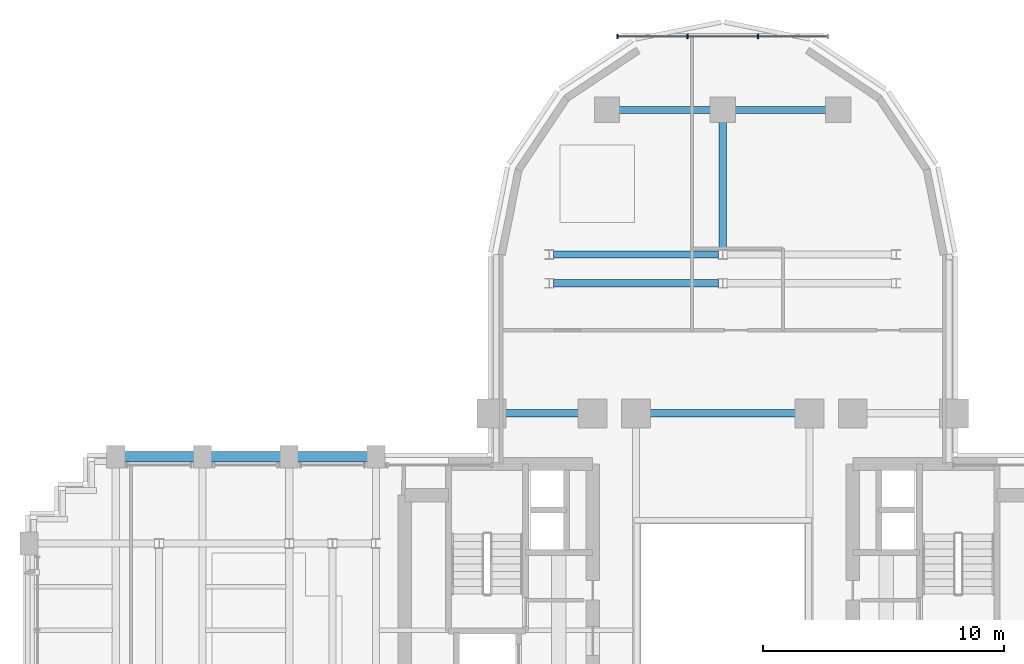
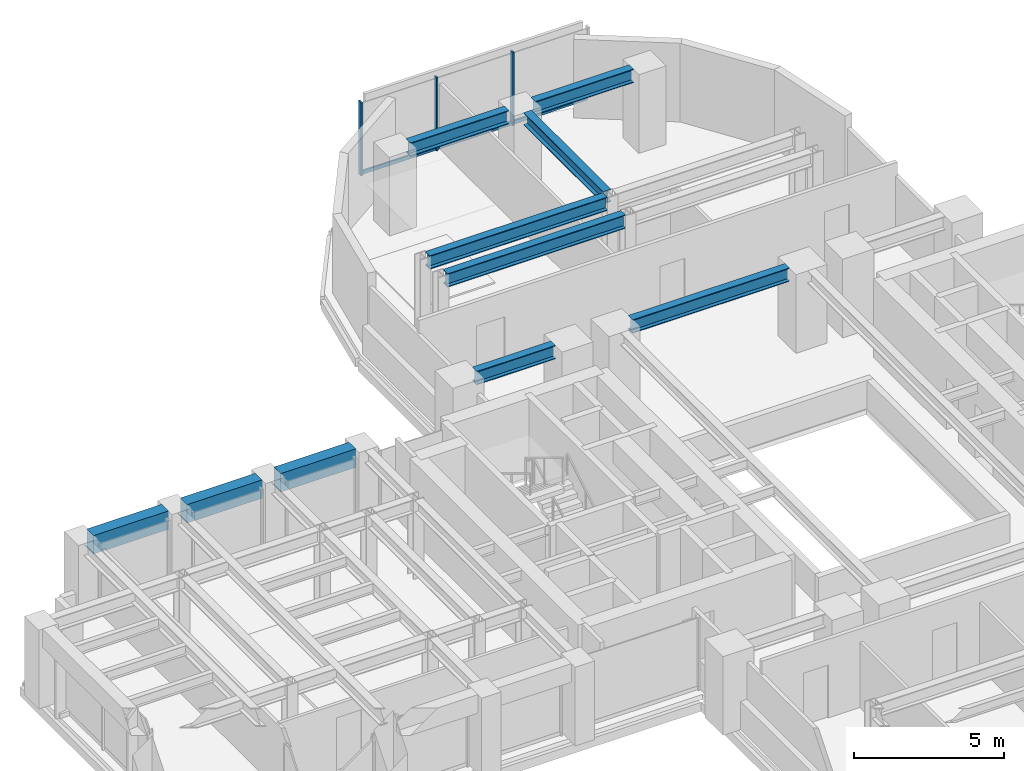
# One storey, part 7 of 16: 10 beams, 6 members, 1 element without a shape of its own.
"""IFC4 building model written with IfcOpenShell, lengths in metres."""

from ifc_helpers import new_model, si_unit, direction, frame, origin, origin_2d, place, context, subcontext, project, spatial, rectangle, i_section, extrude, source, transform, mapped, material, material_profile, profile_set, type_object, element, aggregate, save


model = new_model("IFC4")

# Units and contexts
model_context = context("Model", 3, precision=1e-05, world=origin(), true_north=direction((0.0, 1.0)))
body_context = subcontext(model_context, "Body", "Model", "MODEL_VIEW")
ifc_project = project(units=[si_unit("LENGTHUNIT", "METRE"), si_unit("AREAUNIT", "SQUARE_METRE"), si_unit("VOLUMEUNIT", "CUBIC_METRE"), si_unit("PLANEANGLEUNIT", "RADIAN"), si_unit("MASSUNIT", "GRAM", prefix="KILO")], contexts=[model_context])

# Site, building, storey
site_placement = place(None, origin())
site = spatial("IfcSite", under=ifc_project, at=site_placement, CompositionType="ELEMENT")
building_placement = place(site_placement, origin())
building = spatial("IfcBuilding", under=site, at=building_placement, Name="Keilestroom Media Tower", CompositionType="ELEMENT")
storey_placement = place(building_placement, frame((0.0, 0.0, 71.39990234375)))
storey = spatial("IfcBuildingStorey", under=building, at=storey_placement, Name="L18", CompositionType="ELEMENT", Elevation=71.39990234375)

# Beams
ifc_material_1 = material(Name="Steel S355", Category="steel")
ifc_material_profile_1 = material_profile(ifc_material_1, i_section(OverallWidth=0.300048828125, OverallDepth=0.550048828125, WebThickness=0.012939453125, FlangeThickness=0.029052734375, at=origin_2d()), Name="HEB 550")
ifc_profile_set_1 = profile_set([ifc_material_profile_1], Name="Steel S355")
beam_type_1 = type_object("IfcBeamType", Name="Primary-Structural-Girder-HEB-550", PredefinedType="BEAM", material=ifc_profile_set_1)
shared_shape_1 = source(origin(), body_context, "Body", "SweptSolid", [
    extrude(i_section(OverallWidth=0.300048828125, OverallDepth=0.550048828125, WebThickness=0.012939453125, FlangeThickness=0.029052734375, at=origin_2d()), origin(), (0.0, 0.0, 1.0), 3.7900390625),
])
for number, where, z_axis, x_axis, name in (
    (1, (-4.294921875, 21.60009765625, 2.925048828125), (1.0, 0.0, 0.0), (0.0, 1.0, 0.0), "L18 Beam BG-5 BM-L18-EW-049"),
    (2, (0.5048828125, 21.60009765625, 2.925048828125), (1.0, 0.0, 0.0), (0.0, 1.0, 0.0), "L18 Beam BG-5 BM-L18-EW-050"),
):
    element("IfcBeam", number, at=place(storey_placement, frame(where, z_axis=z_axis, x_axis=x_axis)), inside=storey, type_object=beam_type_1, Name=name, PredefinedType="BEAM", context=body_context, shape_type="MappedRepresentation", body=[
        mapped(shared_shape_1, transform((0.0, 0.0, 0.0), x_axis=(1.0, 0.0, 0.0), y_axis=(0.0, 1.0, 0.0), z_axis=(0.0, 0.0, 1.0), scale=1.0)),
    ])
shared_shape_2 = source(origin(), body_context, "Body", "SweptSolid", [
    extrude(i_section(OverallWidth=0.300048828125, OverallDepth=0.550048828125, WebThickness=0.012939453125, FlangeThickness=0.029052734375, at=origin_2d()), origin(), (0.0, 0.0, 1.0), 6.836181640625),
])
for number, where, z_axis, x_axis, name in (
    (3, (-7.01806640625, 14.39990234375, 2.925048828125), (1.0, 0.0, 0.0), (0.0, 1.0, 0.0), "L18 Beam BG-5 BM-L18-EW-045"),
    (4, (-7.01806640625, 15.60009765625, 2.925048828125), (1.0, 0.0, 0.0), (0.0, 1.0, 0.0), "L18 Beam BG-5 BM-L18-EW-047"),
):
    element("IfcBeam", number, at=place(storey_placement, frame(where, z_axis=z_axis, x_axis=x_axis)), inside=storey, type_object=beam_type_1, Name=name, PredefinedType="BEAM", context=body_context, shape_type="MappedRepresentation", body=[
        mapped(shared_shape_2, transform((0.0, 0.0, 0.0), x_axis=(1.0, 0.0, 0.0), y_axis=(0.0, 1.0, 0.0), z_axis=(0.0, 0.0, 1.0), scale=1.0)),
    ])
shared_shape_3 = source(origin(), body_context, "Body", "SweptSolid", [
    extrude(i_section(OverallWidth=0.300048828125, OverallDepth=0.550048828125, WebThickness=0.012939453125, FlangeThickness=0.029052734375, at=origin_2d()), origin(), (0.0, 0.0, 1.0), 3.0400390625),
])
beam_1_placement = place(storey_placement, frame((-9.02001953125, 9.0, 2.925048828125), z_axis=(1.0, 0.0, 0.0), x_axis=(0.0, 1.0, 0.0)))
element("IfcBeam", 5, at=beam_1_placement, inside=storey, type_object=beam_type_1, Name="L18 Beam BG-5 BM-L18-EW-040", PredefinedType="BEAM", context=body_context, shape_type="MappedRepresentation", body=[
    mapped(shared_shape_3, transform((0.0, 0.0, 0.0), x_axis=(1.0, 0.0, 0.0), y_axis=(0.0, 1.0, 0.0), z_axis=(0.0, 0.0, 1.0), scale=1.0)),
])
shared_shape_4 = source(origin(), body_context, "Body", "SweptSolid", [
    extrude(i_section(OverallWidth=0.300048828125, OverallDepth=0.550048828125, WebThickness=0.012939453125, FlangeThickness=0.029052734375, at=origin_2d()), origin(), (0.0, 0.0, 1.0), 6.0400390625),
])
beam_2_placement = place(storey_placement, frame((-3.02001953125, 9.0, 2.925048828125), z_axis=(1.0, 0.0, 0.0), x_axis=(0.0, 1.0, 0.0)))
element("IfcBeam", 6, at=beam_2_placement, inside=storey, type_object=beam_type_1, Name="L18 Beam BG-5 BM-L18-EW-042", PredefinedType="BEAM", context=body_context, shape_type="MappedRepresentation", body=[
    mapped(shared_shape_4, transform((0.0, 0.0, 0.0), x_axis=(1.0, 0.0, 0.0), y_axis=(0.0, 1.0, 0.0), z_axis=(0.0, 0.0, 1.0), scale=1.0)),
])
ifc_material_2 = material(Name="Precast concrete C40/50", Category="concrete")
ifc_material_profile_2 = material_profile(ifc_material_2, rectangle(XDim=0.449951171875, YDim=0.75, at=origin_2d()), Name="PC 450x750")
ifc_profile_set_2 = profile_set([ifc_material_profile_2], Name="Precast concrete C40/50")
beam_type_2 = type_object("IfcBeamType", Name="Perimeter-Spandrel-Beam-PC-450x750", PredefinedType="SPANDREL", material=ifc_profile_set_2)
shared_shape_5 = source(origin(), body_context, "Body", "SweptSolid", [
    extrude(rectangle(XDim=0.449951171875, YDim=0.75, at=origin_2d()), origin(), (0.0, 0.0, 1.0), 2.889892578125),
])
beam_3_placement = place(storey_placement, frame((-24.844970703125, 7.199951171875, 2.8251953125), z_axis=(1.0, 0.0, 0.0), x_axis=(0.0, 1.0, 0.0)))
element("IfcBeam", 7, at=beam_3_placement, inside=storey, type_object=beam_type_2, Name="L18 Beam SPB-1 BM-L18-EW-034", PredefinedType="SPANDREL", context=body_context, shape_type="MappedRepresentation", body=[
    mapped(shared_shape_5, transform((0.0, 0.0, 0.0), x_axis=(1.0, 0.0, 0.0), y_axis=(0.0, 1.0, 0.0), z_axis=(0.0, 0.0, 1.0), scale=1.0)),
])
shared_shape_6 = source(origin(), body_context, "Body", "SweptSolid", [
    extrude(rectangle(XDim=0.449951171875, YDim=0.75, at=origin_2d()), origin(), (0.0, 0.0, 1.0), 2.89013671875),
])
for number, where, z_axis, x_axis, name in (
    (8, (-21.2451171875, 7.199951171875, 2.8251953125), (1.0, 0.0, 0.0), (0.0, 1.0, 0.0), "L18 Beam SPB-1 BM-L18-EW-035"),
    (9, (-17.64501953125, 7.199951171875, 2.8251953125), (1.0, 0.0, 0.0), (0.0, 1.0, 0.0), "L18 Beam SPB-1 BM-L18-EW-036"),
):
    element("IfcBeam", number, at=place(storey_placement, frame(where, z_axis=z_axis, x_axis=x_axis)), inside=storey, type_object=beam_type_2, Name=name, PredefinedType="SPANDREL", context=body_context, shape_type="MappedRepresentation", body=[
        mapped(shared_shape_6, transform((0.0, 0.0, 0.0), x_axis=(1.0, 0.0, 0.0), y_axis=(0.0, 1.0, 0.0), z_axis=(0.0, 0.0, 1.0), scale=1.0)),
    ])
ifc_material_profile_3 = material_profile(ifc_material_1, i_section(OverallWidth=0.300048828125, OverallDepth=0.5, WebThickness=0.012451171875, FlangeThickness=0.028076171875, at=origin_2d()), Name="HEB 500")
ifc_profile_set_3 = profile_set([ifc_material_profile_3], Name="Steel S355")
beam_type_3 = type_object("IfcBeamType", Name="Primary-Structural-Girder-HEB-500", PredefinedType="BEAM", material=ifc_profile_set_3)
shared_shape_7 = source(origin(), body_context, "Body", "SweptSolid", [
    extrude(i_section(OverallWidth=0.300048828125, OverallDepth=0.5, WebThickness=0.012451171875, FlangeThickness=0.028076171875, at=origin_2d()), origin(), (0.0, 0.0, 1.0), 5.3115234375),
])
beam_4_placement = place(storey_placement, frame((0.0, 15.783447265625, 2.9501953125), z_axis=(0.0, 1.0, 0.0), x_axis=(-1.0, 0.0, 0.0)))
element("IfcBeam", 10, at=beam_4_placement, inside=storey, type_object=beam_type_3, Name="L18 Beam BG-6 BM-L18-NS-070", PredefinedType="BEAM", context=body_context, shape_type="MappedRepresentation", body=[
    mapped(shared_shape_7, transform((0.0, 0.0, 0.0), x_axis=(1.0, 0.0, 0.0), y_axis=(0.0, 1.0, 0.0), z_axis=(0.0, 0.0, 1.0), scale=1.0)),
])

# Curtain wall, members
ifc_material_3 = material(Name="Anodised Aluminium Alloy", Category="aluminium")
curtain_wall_type = type_object("IfcCurtainWallType", Name="Unitised-Curtain-Wall-CW-6", PredefinedType="NOTDEFINED", material=ifc_material_3)
curtain_wall_placement = place(storey_placement, origin())
curtain_wall = element("IfcCurtainWall", 11, at=curtain_wall_placement, inside=storey, type_object=curtain_wall_type, Name="L18 Curtain Wall CW-6 CW-L18-LN-1", PredefinedType="NOTDEFINED")
ifc_material_profile_4 = material_profile(ifc_material_3, rectangle(XDim=0.06494140625, YDim=0.179931640625, at=origin_2d()), Name="ALU MULLION 65x180")
ifc_profile_set_4 = profile_set([ifc_material_profile_4], Name="Anodised Aluminium Alloy")
member_type_1 = type_object("IfcMemberType", Name="Curtain-Wall-Mullion-CW-6", PredefinedType="MULLION", material=ifc_profile_set_4)
shared_shape_8 = source(origin(), body_context, "Body", "SweptSolid", [
    extrude(rectangle(XDim=0.06494140625, YDim=0.179931640625, at=origin_2d()), origin(), (0.0, 0.0, 1.0), 2.97998046875),
])
member_1_placement = place(storey_placement, frame((-4.367431640625, 24.64990234375, 0.0), z_axis=(0.0, 0.0, 1.0), x_axis=(1.0, 0.0, 0.0)))
member_1 = element("IfcMember", 12, at=member_1_placement, type_object=member_type_1, Name="CW-6 Mullion 00", PredefinedType="MULLION", context=body_context, shape_type="MappedRepresentation", body=[
    mapped(shared_shape_8, transform((0.0, 0.0, 0.0), x_axis=(1.0, 0.0, 0.0), y_axis=(0.0, 1.0, 0.0), z_axis=(0.0, 0.0, 1.0), scale=1.0)),
])
member_2_placement = place(storey_placement, frame((-1.466796875, 24.64990234375, 0.0), z_axis=(0.0, 0.0, 1.0), x_axis=(1.0, 0.0, 0.0)))
member_2 = element("IfcMember", 13, at=member_2_placement, type_object=member_type_1, Name="CW-6 Mullion 01", PredefinedType="MULLION", context=body_context, shape_type="MappedRepresentation", body=[
    mapped(shared_shape_8, transform((0.0, 0.0, 0.0), x_axis=(1.0, 0.0, 0.0), y_axis=(0.0, 1.0, 0.0), z_axis=(0.0, 0.0, 1.0), scale=1.0)),
])
member_3_placement = place(storey_placement, frame((1.466796875, 24.64990234375, 0.0), z_axis=(0.0, 0.0, 1.0), x_axis=(1.0, 0.0, 0.0)))
member_3 = element("IfcMember", 14, at=member_3_placement, type_object=member_type_1, Name="CW-6 Mullion 02", PredefinedType="MULLION", context=body_context, shape_type="MappedRepresentation", body=[
    mapped(shared_shape_8, transform((0.0, 0.0, 0.0), x_axis=(1.0, 0.0, 0.0), y_axis=(0.0, 1.0, 0.0), z_axis=(0.0, 0.0, 1.0), scale=1.0)),
])
ifc_material_profile_5 = material_profile(ifc_material_3, rectangle(XDim=0.06494140625, YDim=0.14990234375, at=origin_2d()), Name="ALU TRANSOM 65x150")
ifc_profile_set_5 = profile_set([ifc_material_profile_5], Name="Anodised Aluminium Alloy")
member_type_2 = type_object("IfcMemberType", Name="Curtain-Wall-Transom-CW-6", PredefinedType="USERDEFINED", material=ifc_profile_set_5)
shared_shape_9 = source(origin(), body_context, "Body", "SweptSolid", [
    extrude(rectangle(XDim=0.06494140625, YDim=0.14990234375, at=origin_2d()), origin(), (0.0, 0.0, 1.0), 2.839599609375),
])
member_4_placement = place(storey_placement, frame((-4.3369140625, 24.64990234375, 0.0751953125), z_axis=(1.0, 0.0, 0.0), x_axis=(0.0, 1.0, 0.0)))
member_4 = element("IfcMember", 15, at=member_4_placement, type_object=member_type_2, Name="CW-6 Transom 00.1", ObjectType="TRANSOM", PredefinedType="USERDEFINED", context=body_context, shape_type="MappedRepresentation", body=[
    mapped(shared_shape_9, transform((0.0, 0.0, 0.0), x_axis=(1.0, 0.0, 0.0), y_axis=(0.0, 1.0, 0.0), z_axis=(0.0, 0.0, 1.0), scale=1.0)),
])
member_5_placement = place(storey_placement, frame((1.497314453125, 24.64990234375, 0.0751953125), z_axis=(1.0, 0.0, 0.0), x_axis=(0.0, 1.0, 0.0)))
member_5 = element("IfcMember", 16, at=member_5_placement, type_object=member_type_2, Name="CW-6 Transom 02.1", ObjectType="TRANSOM", PredefinedType="USERDEFINED", context=body_context, shape_type="MappedRepresentation", body=[
    mapped(shared_shape_9, transform((0.0, 0.0, 0.0), x_axis=(1.0, 0.0, 0.0), y_axis=(0.0, 1.0, 0.0), z_axis=(0.0, 0.0, 1.0), scale=1.0)),
])
shared_shape_10 = source(origin(), body_context, "Body", "SweptSolid", [
    extrude(rectangle(XDim=0.06494140625, YDim=0.14990234375, at=origin_2d()), origin(), (0.0, 0.0, 1.0), 2.87255859375),
])
member_6_placement = place(storey_placement, frame((-1.436279296875, 24.64990234375, 0.0751953125), z_axis=(1.0, 0.0, 0.0), x_axis=(0.0, 1.0, 0.0)))
member_6 = element("IfcMember", 17, at=member_6_placement, type_object=member_type_2, Name="CW-6 Transom 01.1", ObjectType="TRANSOM", PredefinedType="USERDEFINED", context=body_context, shape_type="MappedRepresentation", body=[
    mapped(shared_shape_10, transform((0.0, 0.0, 0.0), x_axis=(1.0, 0.0, 0.0), y_axis=(0.0, 1.0, 0.0), z_axis=(0.0, 0.0, 1.0), scale=1.0)),
])
aggregate(curtain_wall, [member_1, member_2, member_3, member_4, member_6, member_5])

save(model, "model.ifc")
